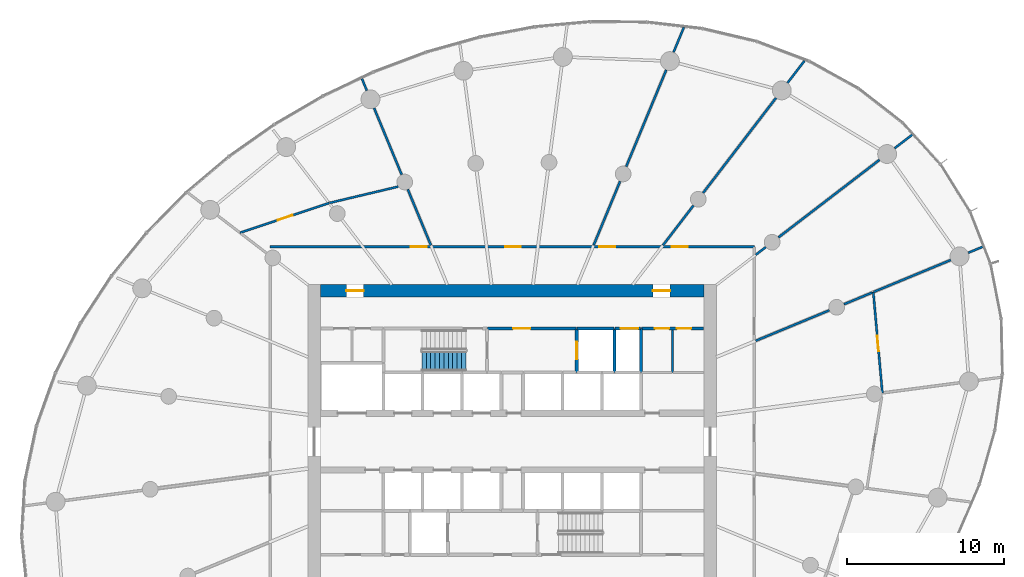
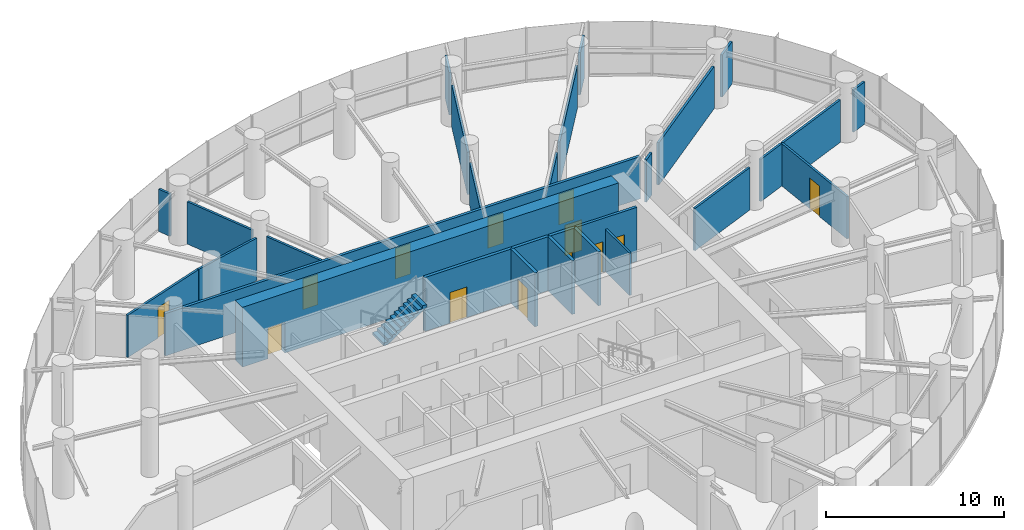
# One storey, part 13 of 17: 29 walls, 13 doors, 1 stair flight, 13 openings, 1 element without a shape of its own.
"""IFC4 building model written with IfcOpenShell, lengths in metres."""

from ifc_helpers import new_model, si_unit, direction, frame, frame_2d, origin, place, context, subcontext, project, spatial, line, indexed_curve, rectangle, outline, extrude, source, transform, mapped, material, layer, layer_set, type_object, element, fill, aggregate, save


model = new_model("IFC4")

# Units and contexts
model_context = context("Model", 3, precision=1e-05, world=origin(), true_north=direction((0.0, 1.0)))
body_context = subcontext(model_context, "Body", "Model", "MODEL_VIEW")
ifc_project = project(units=[si_unit("LENGTHUNIT", "METRE"), si_unit("AREAUNIT", "SQUARE_METRE"), si_unit("VOLUMEUNIT", "CUBIC_METRE"), si_unit("PLANEANGLEUNIT", "RADIAN"), si_unit("MASSUNIT", "GRAM", prefix="KILO")], contexts=[model_context])

# Site, building, storey
site_placement = place(None, origin())
site = spatial("IfcSite", under=ifc_project, at=site_placement, CompositionType="ELEMENT")
building_placement = place(site_placement, origin())
building = spatial("IfcBuilding", under=site, at=building_placement, Name="Spindrift Exchange Tower", CompositionType="ELEMENT")
storey_placement = place(building_placement, frame((0.0, 0.0, 108.5)))
storey = spatial("IfcBuildingStorey", under=building, at=storey_placement, Name="L25", CompositionType="ELEMENT", Elevation=108.5)

# Wall, openings, doors
ifc_material_1 = material(Name="Concrete 65 MPa", Category="concrete")
ifc_layer_1 = layer(ifc_material_1, 0.800048828125)
ifc_layer_set_1 = layer_set([ifc_layer_1], Name="RC Core Wall 800 Concrete 65 MPa")
wall_type_1 = type_object("IfcWallType", Name="RC Core Wall 800 Concrete 65 MPa", PredefinedType="SHEAR", material=ifc_layer_set_1)
wall_1_placement = place(storey_placement, frame((64.199951171875, 57.60009765625, 0.0), z_axis=(0.0, 0.0, 1.0), x_axis=(-1.0, 0.0, 0.0)))
wall_1 = element("IfcWall", 1, at=wall_1_placement, inside=storey, type_object=wall_type_1, Name="Core wall N L25", PredefinedType="SHEAR", context=body_context, shape_type="SweptSolid", body=[
    extrude(rectangle(XDim=24.39990234375, YDim=0.800048828125, at=frame_2d((12.199951171875, 0.0))), origin(), (0.0, 0.0, 1.0), 4.10009765625),
])
opening_1_placement = place(wall_1_placement, frame((21.64990234375, 0.0, 0.0)))
opening_1 = element("IfcOpeningElement", 2, at=opening_1_placement, cuts=wall_1, Name="Opening L25-D20", PredefinedType="OPENING", context=body_context, shape_type="SweptSolid", body=[
    extrude(rectangle(XDim=1.10009765625, YDim=2.10009765625, at=frame_2d((0.550048828125, 1.050048828125))), frame((0.0, 0.409912109375, 0.0), z_axis=(0.0, -1.0, 0.0), x_axis=(1.0, 0.0, 0.0)), (0.0, 0.0, 1.0), 0.820068359375),
])
opening_2_placement = place(wall_1_placement, frame((2.14990234375, 0.0, 0.0)))
opening_2 = element("IfcOpeningElement", 3, at=opening_2_placement, cuts=wall_1, Name="Opening L25-D21", PredefinedType="OPENING", context=body_context, shape_type="SweptSolid", body=[
    extrude(rectangle(XDim=1.10009765625, YDim=2.10009765625, at=frame_2d((0.550048828125, 1.050048828125))), frame((0.0, 0.409912109375, 0.0), z_axis=(0.0, -1.0, 0.0), x_axis=(1.0, 0.0, 0.0)), (0.0, 0.0, 1.0), 0.820068359375),
])
ifc_material_2 = material(Name="Steel fire door", Category="steel")
door_type_1 = type_object("IfcDoorType", Name="DR-STAIR-1100", OperationType="NOTDEFINED", PredefinedType="DOOR", material=ifc_material_2)
shared_shape_1 = source(origin(), body_context, "Body", "SweptSolid", [
    extrude(rectangle(XDim=1.10009765625, YDim=2.10009765625, at=frame_2d((0.550048828125, 1.050048828125))), frame((0.0, 0.02490234375, 0.0), z_axis=(0.0, -1.0, 0.0), x_axis=(1.0, 0.0, 0.0)), (0.0, 0.0, 1.0), 0.050048828125),
])
door_1_placement = place(opening_1_placement, origin())
door_1 = element("IfcDoor", 4, at=door_1_placement, inside=storey, type_object=door_type_1, Name="L25 Stair door 20", OperationType="SINGLE_SWING_RIGHT", OverallHeight=2.10009765625, OverallWidth=1.10009765625, PredefinedType="DOOR", context=body_context, shape_type="MappedRepresentation", body=[
    mapped(shared_shape_1, transform((0.0, 0.0, 0.0), scale=1.0)),
])
fill(opening_1, door_1)
door_2_placement = place(opening_2_placement, origin())
door_2 = element("IfcDoor", 5, at=door_2_placement, inside=storey, type_object=door_type_1, Name="L25 Stair door 21", OperationType="SINGLE_SWING_LEFT", OverallHeight=2.10009765625, OverallWidth=1.10009765625, PredefinedType="DOOR", context=body_context, shape_type="MappedRepresentation", body=[
    mapped(shared_shape_1, transform((0.0, 0.0, 0.0), scale=1.0)),
])
fill(opening_2, door_2)

ifc_material_3 = material(Name="Fire-rated plasterboard partition", Category="gypsum")
ifc_layer_2 = layer(ifc_material_3, 0.179931640625)
ifc_layer_set_2 = layer_set([ifc_layer_2], Name="W-CORR-180")
wall_type_2 = type_object("IfcWallType", Name="W-CORR-180", PredefinedType="PARTITIONING", material=ifc_layer_set_2)
wall_2_placement = place(storey_placement, frame((64.179931640625, 55.199951171875, 0.0), z_axis=(0.0, 0.0, 1.0), x_axis=(-1.0, 0.0, 0.0)))
wall_2 = element("IfcWall", 6, at=wall_2_placement, inside=storey, type_object=wall_type_2, Name="L25 Partition wall 62", PredefinedType="PARTITIONING", context=body_context, shape_type="SweptSolid", body=[
    extrude(rectangle(XDim=3.949951171875, YDim=0.179931640625, at=frame_2d((1.97509765625, 0.0))), origin(), (0.0, 0.0, 1.0), 3.699951171875),
])
opening_3_placement = place(wall_2_placement, frame((2.199951171875, 0.0, 0.0)))
opening_3 = element("IfcOpeningElement", 7, at=opening_3_placement, cuts=wall_2, Name="Opening L25-D51", PredefinedType="OPENING", context=body_context, shape_type="SweptSolid", body=[
    extrude(rectangle(XDim=0.89990234375, YDim=2.10009765625, at=frame_2d((0.449951171875, 1.050048828125))), frame((0.0, 0.099853515625, 0.0), z_axis=(0.0, -1.0, 0.0), x_axis=(1.0, 0.0, 0.0)), (0.0, 0.0, 1.0), 0.199951171875),
])
opening_4_placement = place(wall_2_placement, frame((0.800048828125, 0.0, 0.0)))
opening_4 = element("IfcOpeningElement", 8, at=opening_4_placement, cuts=wall_2, Name="Opening L25-D52", PredefinedType="OPENING", context=body_context, shape_type="SweptSolid", body=[
    extrude(rectangle(XDim=0.89990234375, YDim=2.10009765625, at=frame_2d((0.449951171875, 1.050048828125))), frame((0.0, 0.099853515625, 0.0), z_axis=(0.0, -1.0, 0.0), x_axis=(1.0, 0.0, 0.0)), (0.0, 0.0, 1.0), 0.199951171875),
])
ifc_material_4 = material(Name="Steel access door", Category="steel")
door_type_2 = type_object("IfcDoorType", Name="DR-RISER-900", OperationType="NOTDEFINED", PredefinedType="DOOR", material=ifc_material_4)
shared_shape_2 = source(origin(), body_context, "Body", "SweptSolid", [
    extrude(rectangle(XDim=0.89990234375, YDim=2.10009765625, at=frame_2d((0.449951171875, 1.050048828125))), frame((0.0, 0.02490234375, 0.0), z_axis=(0.0, -1.0, 0.0), x_axis=(1.0, 0.0, 0.0)), (0.0, 0.0, 1.0), 0.050048828125),
])
door_3_placement = place(opening_3_placement, origin())
door_3 = element("IfcDoor", 9, at=door_3_placement, inside=storey, type_object=door_type_2, Name="L25 Riser door 51", OperationType="SINGLE_SWING_LEFT", OverallHeight=2.10009765625, OverallWidth=0.89990234375, PredefinedType="DOOR", context=body_context, shape_type="MappedRepresentation", body=[
    mapped(shared_shape_2, transform((0.0, 0.0, 0.0), scale=1.0)),
])
fill(opening_3, door_3)
door_4_placement = place(opening_4_placement, origin())
door_4 = element("IfcDoor", 10, at=door_4_placement, inside=storey, type_object=door_type_2, Name="L25 Riser door 52", OperationType="SINGLE_SWING_RIGHT", OverallHeight=2.10009765625, OverallWidth=0.89990234375, PredefinedType="DOOR", context=body_context, shape_type="MappedRepresentation", body=[
    mapped(shared_shape_2, transform((0.0, 0.0, 0.0), scale=1.0)),
])
fill(opening_4, door_4)

# Wall, opening, door
ifc_layer_3 = layer(ifc_material_3, 0.139892578125)
ifc_layer_set_3 = layer_set([ifc_layer_3], Name="W-PART-140")
wall_type_3 = type_object("IfcWallType", Name="W-PART-140", PredefinedType="PARTITIONING", material=ifc_layer_set_3)
wall_3_placement = place(storey_placement, frame((34.6748046875, 61.294189453125, 0.0), z_axis=(0.0, 0.0, 1.0), x_axis=(0.948817917671, 0.315823620247, 0.0)))
wall_3 = element("IfcWall", 11, at=wall_3_placement, inside=storey, type_object=wall_type_3, Name="L25 Partition wall 75", PredefinedType="PARTITIONING", context=body_context, shape_type="SweptSolid", body=[
    extrude(rectangle(XDim=5.98095703125, YDim=0.139892578125, at=frame_2d((2.990478515625, 0.0))), origin(), (0.0, 0.0, 1.0), 2.89990234375),
])
opening_5_placement = place(wall_3_placement, frame((2.531005859375, 0.0, 0.0)))
opening_5 = element("IfcOpeningElement", 12, at=opening_5_placement, cuts=wall_3, Name="Opening L25-D38", PredefinedType="OPENING", context=body_context, shape_type="SweptSolid", body=[
    extrude(rectangle(XDim=1.0, YDim=2.10009765625, at=frame_2d((0.5, 1.050048828125))), frame((0.0, 0.079833984375, 0.0), z_axis=(0.0, -1.0, 0.0), x_axis=(1.0, 0.0, 0.0)), (0.0, 0.0, 1.0), 0.159912109375),
])
ifc_material_5 = material(Name="Timber-core fire door", Category="wood")
door_type_3 = type_object("IfcDoorType", Name="DR-ROOM-1000", OperationType="NOTDEFINED", PredefinedType="DOOR", material=ifc_material_5)
shared_shape_3 = source(origin(), body_context, "Body", "SweptSolid", [
    extrude(rectangle(XDim=1.0, YDim=2.10009765625, at=frame_2d((0.5, 1.050048828125))), frame((0.0, 0.02490234375, 0.0), z_axis=(0.0, -1.0, 0.0), x_axis=(1.0, 0.0, 0.0)), (0.0, 0.0, 1.0), 0.050048828125),
])
door_5_placement = place(opening_5_placement, origin())
door_5 = element("IfcDoor", 13, at=door_5_placement, inside=storey, type_object=door_type_3, Name="L25 Door 38", OperationType="SINGLE_SWING_RIGHT", OverallHeight=2.10009765625, OverallWidth=1.0, PredefinedType="DOOR", context=body_context, shape_type="MappedRepresentation", body=[
    mapped(shared_shape_3, transform((0.0, 0.0, 0.0), scale=1.0)),
])
fill(opening_5, door_5)

# Walls
wall_4_placement = place(storey_placement, frame((44.746826171875, 64.2255859375, 0.0), z_axis=(0.0, 0.0, 1.0), x_axis=(-0.973038547424, -0.230642548604, 0.0)))
element("IfcWall", 14, at=wall_4_placement, inside=storey, type_object=wall_type_3, Name="L25 Partition wall 90", PredefinedType="PARTITIONING", context=body_context, shape_type="SweptSolid", body=[
    extrude(rectangle(XDim=4.4892578125, YDim=0.139892578125, at=frame_2d((2.24462890625, 0.0))), origin(), (0.0, 0.0, 1.0), 2.89990234375),
])
wall_5_placement = place(storey_placement, frame((62.199951171875, 52.39990234375, 0.0), z_axis=(0.0, 0.0, 1.0), x_axis=(0.0, 1.0, 0.0)))
element("IfcWall", 15, at=wall_5_placement, inside=storey, type_object=wall_type_3, Name="L25 Partition wall 101", PredefinedType="PARTITIONING", context=body_context, shape_type="SweptSolid", body=[
    extrude(rectangle(XDim=2.710205078125, YDim=0.139892578125, at=frame_2d((1.35498046875, 0.0))), origin(), (0.0, 0.0, 1.0), 2.89990234375),
])
ifc_layer_4 = layer(ifc_material_3, 0.139892578125)
ifc_layer_set_4 = layer_set([ifc_layer_4], Name="W-PLANT-140")
wall_type_4 = type_object("IfcWallType", Name="W-PLANT-140", PredefinedType="PARTITIONING", material=ifc_layer_set_4)
wall_6_placement = place(storey_placement, frame((68.93505859375, 60.99462890625, 0.0), z_axis=(0.0, 0.0, 1.0), x_axis=(0.793358692504, 0.608754453805, 0.0)))
element("IfcWall", 16, at=wall_6_placement, inside=storey, type_object=wall_type_4, Name="L25 Partition wall 65", PredefinedType="PARTITIONING", context=body_context, shape_type="SweptSolid", body=[
    extrude(rectangle(XDim=8.109619140625, YDim=0.139892578125, at=frame_2d((4.0546875, 0.0))), origin(), (0.0, 0.0, 1.0), 2.89990234375),
])
wall_7_placement = place(storey_placement, frame((64.14208984375, 63.823974609375, 0.0), z_axis=(0.0, 0.0, 1.0), x_axis=(0.608755907151, 0.793357577331, 0.0)))
element("IfcWall", 17, at=wall_7_placement, inside=storey, type_object=wall_type_4, Name="L25 Partition wall 66", PredefinedType="PARTITIONING", context=body_context, shape_type="SweptSolid", body=[
    extrude(rectangle(XDim=7.614990234375, YDim=0.139892578125, at=frame_2d((3.8076171875, 0.0))), origin(), (0.0, 0.0, 1.0), 2.89990234375),
])
wall_8_placement = place(storey_placement, frame((59.247802734375, 65.497802734375, 0.0), z_axis=(0.0, 0.0, 1.0), x_axis=(0.382696989205, 0.923873916968, 0.0)))
element("IfcWall", 18, at=wall_8_placement, inside=storey, type_object=wall_type_4, Name="L25 Partition wall 69", PredefinedType="PARTITIONING", context=body_context, shape_type="SweptSolid", body=[
    extrude(rectangle(XDim=6.662841796875, YDim=0.139892578125, at=frame_2d((3.33154296875, 0.0))), origin(), (0.0, 0.0, 1.0), 2.89990234375),
])

# Wall, opening, door
wall_9_placement = place(storey_placement, frame((74.97021484375, 57.5146484375, 0.0), z_axis=(0.0, 0.0, 1.0), x_axis=(0.089462467016, -0.995990194227, 0.0)))
wall_9 = element("IfcWall", 19, at=wall_9_placement, inside=storey, type_object=wall_type_4, Name="L25 Partition wall 71", PredefinedType="PARTITIONING", context=body_context, shape_type="SweptSolid", body=[
    extrude(rectangle(XDim=6.4404296875, YDim=0.139892578125, at=frame_2d((3.22021484375, 0.0))), origin(), (0.0, 0.0, 1.0), 2.89990234375),
])
opening_6_placement = place(wall_9_placement, frame((2.79052734375, 0.0, 0.0)))
opening_6 = element("IfcOpeningElement", 20, at=opening_6_placement, cuts=wall_9, Name="Opening L25-D32", PredefinedType="OPENING", context=body_context, shape_type="SweptSolid", body=[
    extrude(rectangle(XDim=1.0, YDim=2.10009765625, at=frame_2d((0.5, 1.050048828125))), frame((0.0, 0.079833984375, 0.0), z_axis=(0.0, -1.0, 0.0), x_axis=(1.0, 0.0, 0.0)), (0.0, 0.0, 1.0), 0.159912109375),
])
door_6_placement = place(opening_6_placement, origin())
door_6 = element("IfcDoor", 21, at=door_6_placement, inside=storey, type_object=door_type_3, Name="L25 Door 32", OperationType="SINGLE_SWING_RIGHT", OverallHeight=2.10009765625, OverallWidth=1.0, PredefinedType="DOOR", context=body_context, shape_type="MappedRepresentation", body=[
    mapped(shared_shape_3, transform((0.0, 0.0, 0.0), scale=1.0)),
])
fill(opening_6, door_6)

# Walls
wall_10_placement = place(storey_placement, frame((74.998046875, 57.526123046875, 0.0), z_axis=(0.0, 0.0, 1.0), x_axis=(0.923875965801, 0.382692043051, 0.0)))
element("IfcWall", 22, at=wall_10_placement, inside=storey, type_object=wall_type_4, Name="L25 Partition wall 81", PredefinedType="PARTITIONING", context=body_context, shape_type="SweptSolid", body=[
    extrude(rectangle(XDim=5.302001953125, YDim=0.139892578125, at=frame_2d((2.65087890625, 0.0))), origin(), (0.0, 0.0, 1.0), 2.89990234375),
])
wall_11_placement = place(storey_placement, frame((67.489990234375, 54.416259765625, 0.0), z_axis=(0.0, 0.0, 1.0), x_axis=(0.923890025086, 0.382658100067, 0.0)))
element("IfcWall", 23, at=wall_11_placement, inside=storey, type_object=wall_type_4, Name="L25 Partition wall 84", PredefinedType="PARTITIONING", context=body_context, shape_type="SweptSolid", body=[
    extrude(rectangle(XDim=5.068359375, YDim=0.139892578125, at=frame_2d((2.5341796875, 0.0))), origin(), (0.0, 0.0, 1.0), 2.89990234375),
])
wall_12_placement = place(storey_placement, frame((44.965087890625, 64.984130859375, 0.0), z_axis=(0.0, 0.0, 1.0), x_axis=(-0.382705930348, 0.923870213221, 0.0)))
element("IfcWall", 24, at=wall_12_placement, inside=storey, type_object=wall_type_4, Name="L25 Partition wall 89", PredefinedType="PARTITIONING", context=body_context, shape_type="SweptSolid", body=[
    extrude(rectangle(XDim=4.586669921875, YDim=0.139892578125, at=frame_2d((2.29345703125, 0.0))), origin(), (0.0, 0.0, 1.0), 2.89990234375),
])
wall_13_placement = place(storey_placement, frame((57.173583984375, 60.489990234375, 0.0), z_axis=(0.0, 0.0, 1.0), x_axis=(0.382672831764, 0.923883923353, 0.0)))
element("IfcWall", 25, at=wall_13_placement, inside=storey, type_object=wall_type_4, Name="L25 Partition wall 92", PredefinedType="PARTITIONING", context=body_context, shape_type="SweptSolid", body=[
    extrude(rectangle(XDim=4.410400390625, YDim=0.139892578125, at=frame_2d((2.205078125, 0.0))), origin(), (0.0, 0.0, 1.0), 2.89990234375),
])
wall_14_placement = place(storey_placement, frame((46.826416015625, 60.489990234375, 0.0), z_axis=(0.0, 0.0, 1.0), x_axis=(-0.382644558062, 0.923895633817, 0.0)))
element("IfcWall", 26, at=wall_14_placement, inside=storey, type_object=wall_type_4, Name="L25 Partition wall 96", PredefinedType="PARTITIONING", context=body_context, shape_type="SweptSolid", body=[
    extrude(rectangle(XDim=3.854248046875, YDim=0.139892578125, at=frame_2d((1.92724609375, 0.0))), origin(), (0.0, 0.0, 1.0), 2.89990234375),
])
wall_15_placement = place(storey_placement, frame((61.583984375, 60.489990234375, 0.0), z_axis=(0.0, 0.0, 1.0), x_axis=(0.60874605662, 0.793365135703, 0.0)))
element("IfcWall", 27, at=wall_15_placement, inside=storey, type_object=wall_type_4, Name="L25 Partition wall 100", PredefinedType="PARTITIONING", context=body_context, shape_type="SweptSolid", body=[
    extrude(rectangle(XDim=3.193603515625, YDim=0.139892578125, at=frame_2d((1.5966796875, 0.0))), origin(), (0.0, 0.0, 1.0), 2.89990234375),
])
wall_16_placement = place(storey_placement, frame((73.10595703125, 56.7421875, 0.0), z_axis=(0.0, 0.0, 1.0), x_axis=(0.923843914347, 0.382769410904, 0.0)))
element("IfcWall", 28, at=wall_16_placement, inside=storey, type_object=wall_type_4, Name="L25 Partition wall 104", PredefinedType="PARTITIONING", context=body_context, shape_type="SweptSolid", body=[
    extrude(rectangle(XDim=1.94482421875, YDim=0.139892578125, at=frame_2d((0.972412109375, 0.0))), origin(), (0.0, 0.0, 1.0), 2.89990234375),
])
wall_17_placement = place(storey_placement, frame((69.513671875, 70.82421875, 0.0), z_axis=(0.0, 0.0, 1.0), x_axis=(0.608816765526, 0.793310876022, 0.0)))
element("IfcWall", 29, at=wall_17_placement, inside=storey, type_object=wall_type_4, Name="L25 Partition wall 109", PredefinedType="PARTITIONING", context=body_context, shape_type="SweptSolid", body=[
    extrude(rectangle(XDim=1.769287109375, YDim=0.139892578125, at=frame_2d((0.884765625, 0.0))), origin(), (0.0, 0.0, 1.0), 2.89990234375),
])
wall_18_placement = place(storey_placement, frame((62.260498046875, 72.77099609375, 0.0), z_axis=(0.0, 0.0, 1.0), x_axis=(0.382769756697, 0.923843771077, 0.0)))
element("IfcWall", 30, at=wall_18_placement, inside=storey, type_object=wall_type_4, Name="L25 Partition wall 111", PredefinedType="PARTITIONING", context=body_context, shape_type="SweptSolid", body=[
    extrude(rectangle(XDim=1.719482421875, YDim=0.139892578125, at=frame_2d((0.85986328125, 0.0))), origin(), (0.0, 0.0, 1.0), 2.89990234375),
])
wall_19_placement = place(storey_placement, frame((76.32763671875, 66.667236328125, 0.0), z_axis=(0.0, 0.0, 1.0), x_axis=(0.793384012646, 0.608721453932, 0.0)))
element("IfcWall", 31, at=wall_19_placement, inside=storey, type_object=wall_type_4, Name="L25 Partition wall 113", PredefinedType="PARTITIONING", context=body_context, shape_type="SweptSolid", body=[
    extrude(rectangle(XDim=1.431884765625, YDim=0.139892578125, at=frame_2d((0.7158203125, 0.0))), origin(), (0.0, 0.0, 1.0), 2.89990234375),
])
wall_20_placement = place(storey_placement, frame((81.014404296875, 60.018310546875, 0.0), z_axis=(0.0, 0.0, 1.0), x_axis=(0.923909071339, 0.38261211154, 0.0)))
element("IfcWall", 32, at=wall_20_placement, inside=storey, type_object=wall_type_4, Name="L25 Partition wall 121", PredefinedType="PARTITIONING", context=body_context, shape_type="SweptSolid", body=[
    extrude(rectangle(XDim=1.021484375, YDim=0.139892578125, at=frame_2d((0.5107421875, 0.0))), origin(), (0.0, 0.0, 1.0), 2.89990234375),
])
wall_21_placement = place(storey_placement, frame((67.489990234375, 59.885986328125, 0.0), z_axis=(0.0, 0.0, 1.0), x_axis=(0.793316076519, 0.608809989025, 0.0)))
element("IfcWall", 33, at=wall_21_placement, inside=storey, type_object=wall_type_4, Name="L25 Partition wall 124", PredefinedType="PARTITIONING", context=body_context, shape_type="SweptSolid", body=[
    extrude(rectangle(XDim=0.8125, YDim=0.139892578125, at=frame_2d((0.40625, 0.0))), origin(), (0.0, 0.0, 1.0), 2.89990234375),
])
wall_22_placement = place(storey_placement, frame((42.74658203125, 70.339599609375, 0.0), z_axis=(0.0, 0.0, 1.0), x_axis=(-0.382520140646, 0.923947153251, 0.0)))
element("IfcWall", 34, at=wall_22_placement, inside=storey, type_object=wall_type_4, Name="L25 Partition wall 125", PredefinedType="PARTITIONING", context=body_context, shape_type="SweptSolid", body=[
    extrude(rectangle(XDim=0.811279296875, YDim=0.139892578125, at=frame_2d((0.40576171875, 0.0))), origin(), (0.0, 0.0, 1.0), 2.89990234375),
])

# Wall, openings, doors
ifc_layer_5 = layer(ifc_material_3, 0.179931640625)
ifc_layer_set_5 = layer_set([ifc_layer_5], Name="W-PLANT-180")
wall_type_5 = type_object("IfcWallType", Name="W-PLANT-180", PredefinedType="PARTITIONING", material=ifc_layer_set_5)
wall_23_placement = place(storey_placement, frame((36.60009765625, 60.39990234375, 0.0), z_axis=(0.0, 0.0, 1.0), x_axis=(1.0, 0.0, 0.0)))
wall_23 = element("IfcWall", 35, at=wall_23_placement, inside=storey, type_object=wall_type_5, Name="L25 Partition wall 58", PredefinedType="PARTITIONING", context=body_context, shape_type="SweptSolid", body=[
    extrude(rectangle(XDim=30.7998046875, YDim=0.179931640625, at=frame_2d((15.39990234375, 0.0))), origin(), (0.0, 0.0, 1.0), 2.89990234375),
])
opening_7_placement = place(wall_23_placement, frame((25.550048828125, 0.0, 0.0)))
opening_7 = element("IfcOpeningElement", 36, at=opening_7_placement, cuts=wall_23, Name="Opening L25-D34", PredefinedType="OPENING", context=body_context, shape_type="SweptSolid", body=[
    extrude(rectangle(XDim=1.0, YDim=2.10009765625, at=frame_2d((0.5, 1.050048828125))), frame((0.0, 0.099853515625, 0.0), z_axis=(0.0, -1.0, 0.0), x_axis=(1.0, 0.0, 0.0)), (0.0, 0.0, 1.0), 0.199951171875),
])
opening_8_placement = place(wall_23_placement, frame((20.949951171875, 0.0, 0.0)))
opening_8 = element("IfcOpeningElement", 37, at=opening_8_placement, cuts=wall_23, Name="Opening L25-D35", PredefinedType="OPENING", context=body_context, shape_type="SweptSolid", body=[
    extrude(rectangle(XDim=1.0, YDim=2.10009765625, at=frame_2d((0.5, 1.050048828125))), frame((0.0, 0.099853515625, 0.0), z_axis=(0.0, -1.0, 0.0), x_axis=(1.0, 0.0, 0.0)), (0.0, 0.0, 1.0), 0.199951171875),
])
opening_9_placement = place(wall_23_placement, frame((14.949951171875, 0.0, 0.0)))
opening_9 = element("IfcOpeningElement", 38, at=opening_9_placement, cuts=wall_23, Name="Opening L25-D36", PredefinedType="OPENING", context=body_context, shape_type="SweptSolid", body=[
    extrude(rectangle(XDim=1.0, YDim=2.10009765625, at=frame_2d((0.5, 1.050048828125))), frame((0.0, 0.099853515625, 0.0), z_axis=(0.0, -1.0, 0.0), x_axis=(1.0, 0.0, 0.0)), (0.0, 0.0, 1.0), 0.199951171875),
])
opening_10_placement = place(wall_23_placement, frame((8.949951171875, 0.0, 0.0)))
opening_10 = element("IfcOpeningElement", 39, at=opening_10_placement, cuts=wall_23, Name="Opening L25-D37", PredefinedType="OPENING", context=body_context, shape_type="SweptSolid", body=[
    extrude(rectangle(XDim=1.0, YDim=2.10009765625, at=frame_2d((0.5, 1.050048828125))), frame((0.0, 0.099853515625, 0.0), z_axis=(0.0, -1.0, 0.0), x_axis=(1.0, 0.0, 0.0)), (0.0, 0.0, 1.0), 0.199951171875),
])
door_7_placement = place(opening_7_placement, origin())
door_7 = element("IfcDoor", 40, at=door_7_placement, inside=storey, type_object=door_type_3, Name="L25 Door 34", OperationType="SINGLE_SWING_RIGHT", OverallHeight=2.10009765625, OverallWidth=1.0, PredefinedType="DOOR", context=body_context, shape_type="MappedRepresentation", body=[
    mapped(shared_shape_3, transform((0.0, 0.0, 0.0), scale=1.0)),
])
fill(opening_7, door_7)
door_8_placement = place(opening_8_placement, origin())
door_8 = element("IfcDoor", 41, at=door_8_placement, inside=storey, type_object=door_type_3, Name="L25 Door 35", OperationType="SINGLE_SWING_LEFT", OverallHeight=2.10009765625, OverallWidth=1.0, PredefinedType="DOOR", context=body_context, shape_type="MappedRepresentation", body=[
    mapped(shared_shape_3, transform((0.0, 0.0, 0.0), scale=1.0)),
])
fill(opening_8, door_8)
door_9_placement = place(opening_9_placement, origin())
door_9 = element("IfcDoor", 42, at=door_9_placement, inside=storey, type_object=door_type_3, Name="L25 Door 36", OperationType="SINGLE_SWING_RIGHT", OverallHeight=2.10009765625, OverallWidth=1.0, PredefinedType="DOOR", context=body_context, shape_type="MappedRepresentation", body=[
    mapped(shared_shape_3, transform((0.0, 0.0, 0.0), scale=1.0)),
])
fill(opening_9, door_9)
door_10_placement = place(opening_10_placement, origin())
door_10 = element("IfcDoor", 43, at=door_10_placement, inside=storey, type_object=door_type_3, Name="L25 Door 37", OperationType="SINGLE_SWING_LEFT", OverallHeight=2.10009765625, OverallWidth=1.0, PredefinedType="DOOR", context=body_context, shape_type="MappedRepresentation", body=[
    mapped(shared_shape_3, transform((0.0, 0.0, 0.0), scale=1.0)),
])
fill(opening_10, door_10)

# Wall, opening, door
ifc_material_6 = material(Name="Concrete 40 MPa", Category="concrete")
ifc_layer_6 = layer(ifc_material_6, 0.199951171875)
ifc_layer_set_6 = layer_set([ifc_layer_6], Name="W-SHAFT-200")
wall_type_6 = type_object("IfcWallType", Name="W-SHAFT-200", PredefinedType="SOLIDWALL", material=ifc_layer_set_6)
wall_24_placement = place(storey_placement, frame((56.10009765625, 55.169921875, 0.0), z_axis=(0.0, 0.0, 1.0), x_axis=(0.0, -1.0, 0.0)))
wall_24 = element("IfcWall", 44, at=wall_24_placement, inside=storey, type_object=wall_type_6, Name="L25 Shaft wall 12", PredefinedType="SOLIDWALL", context=body_context, shape_type="SweptSolid", body=[
    extrude(rectangle(XDim=2.77001953125, YDim=0.199951171875, at=frame_2d((1.385009765625, 0.0))), origin(), (0.0, 0.0, 1.0), 3.699951171875),
])
opening_11_placement = place(wall_24_placement, frame((0.820068359375, 0.0, 0.0)))
opening_11 = element("IfcOpeningElement", 45, at=opening_11_placement, cuts=wall_24, Name="Opening L25-D9", PredefinedType="OPENING", context=body_context, shape_type="SweptSolid", body=[
    extrude(rectangle(XDim=1.10009765625, YDim=2.10009765625, at=frame_2d((0.550048828125, 1.050048828125))), frame((0.0, 0.10986328125, 0.0), z_axis=(0.0, -1.0, 0.0), x_axis=(1.0, 0.0, 0.0)), (0.0, 0.0, 1.0), 0.219970703125),
])
ifc_material_7 = material(Name="Stainless steel landing door", Category="steel")
door_type_4 = type_object("IfcDoorType", Name="DR-LANDING-1100-SL", OperationType="DOUBLE_DOOR_SLIDING", PredefinedType="USERDEFINED", material=ifc_material_7)
shared_shape_4 = source(origin(), body_context, "Body", "SweptSolid", [
    extrude(rectangle(XDim=1.10009765625, YDim=2.10009765625, at=frame_2d((0.550048828125, 1.050048828125))), frame((0.0, 0.02490234375, 0.0), z_axis=(0.0, -1.0, 0.0), x_axis=(1.0, 0.0, 0.0)), (0.0, 0.0, 1.0), 0.050048828125),
])
door_11_placement = place(opening_11_placement, origin())
door_11 = element("IfcDoor", 46, at=door_11_placement, inside=storey, type_object=door_type_4, Name="L25 Lift landing door 9", ObjectType="LANDING DOOR", OperationType="DOUBLE_DOOR_SLIDING", OverallHeight=2.10009765625, OverallWidth=1.10009765625, PredefinedType="USERDEFINED", context=body_context, shape_type="MappedRepresentation", body=[
    mapped(shared_shape_4, transform((0.0, 0.0, 0.0), scale=1.0)),
])
fill(opening_11, door_11)

# Walls
for number, where, z_axis, x_axis, name in (
    (47, (58.5, 52.39990234375, 0.0), (0.0, 0.0, 1.0), (0.0, 1.0, 0.0), "L25 Shaft wall 13"),
    (48, (60.199951171875, 52.39990234375, 0.0), (0.0, 0.0, 1.0), (0.0, 1.0, 0.0), "L25 Shaft wall 14"),
):
    element("IfcWall", number, at=place(storey_placement, frame(where, z_axis=z_axis, x_axis=x_axis)), inside=storey, type_object=wall_type_6, Name=name, PredefinedType="SOLIDWALL", context=body_context, shape_type="SweptSolid", body=[
        extrude(rectangle(XDim=2.800048828125, YDim=0.199951171875, at=frame_2d((1.39990234375, 0.0))), origin(), (0.0, 0.0, 1.0), 3.699951171875),
    ])
wall_25_placement = place(storey_placement, frame((58.469970703125, 55.199951171875, 0.0), z_axis=(0.0, 0.0, 1.0), x_axis=(-1.0, 0.0, 0.0)))
element("IfcWall", 49, at=wall_25_placement, inside=storey, type_object=wall_type_6, Name="L25 Shaft wall 22", PredefinedType="SOLIDWALL", context=body_context, shape_type="SweptSolid", body=[
    extrude(rectangle(XDim=2.340087890625, YDim=0.199951171875, at=frame_2d((1.169921875, 0.0))), origin(), (0.0, 0.0, 1.0), 3.699951171875),
])

# Wall, opening, door
wall_26_placement = place(storey_placement, frame((60.169921875, 55.199951171875, 0.0), z_axis=(0.0, 0.0, 1.0), x_axis=(-1.0, 0.0, 0.0)))
wall_26 = element("IfcWall", 50, at=wall_26_placement, inside=storey, type_object=wall_type_6, Name="L25 Shaft wall 43", PredefinedType="SOLIDWALL", context=body_context, shape_type="SweptSolid", body=[
    extrude(rectangle(XDim=1.639892578125, YDim=0.199951171875, at=frame_2d((0.81982421875, 0.0))), origin(), (0.0, 0.0, 1.0), 3.699951171875),
])
opening_12_placement = place(wall_26_placement, frame((0.169921875, 0.0, 0.0)))
opening_12 = element("IfcOpeningElement", 51, at=opening_12_placement, cuts=wall_26, Name="Opening L25-D11", PredefinedType="OPENING", context=body_context, shape_type="SweptSolid", body=[
    extrude(rectangle(XDim=1.10009765625, YDim=2.10009765625, at=frame_2d((0.550048828125, 1.050048828125))), frame((0.0, 0.10986328125, 0.0), z_axis=(0.0, -1.0, 0.0), x_axis=(1.0, 0.0, 0.0)), (0.0, 0.0, 1.0), 0.219970703125),
])
door_12_placement = place(opening_12_placement, origin())
door_12 = element("IfcDoor", 52, at=door_12_placement, inside=storey, type_object=door_type_4, Name="L25 Lift landing door 11", ObjectType="LANDING DOOR", OperationType="DOUBLE_DOOR_SLIDING", OverallHeight=2.10009765625, OverallWidth=1.10009765625, PredefinedType="USERDEFINED", context=body_context, shape_type="MappedRepresentation", body=[
    mapped(shared_shape_4, transform((0.0, 0.0, 0.0), scale=1.0)),
])
fill(opening_12, door_12)

ifc_layer_7 = layer(ifc_material_6, 0.199951171875)
ifc_layer_set_7 = layer_set([ifc_layer_7], Name="W-SHAFT-200-LB")
wall_type_7 = type_object("IfcWallType", Name="W-SHAFT-200-LB", PredefinedType="SOLIDWALL", material=ifc_layer_set_7)
wall_27_placement = place(storey_placement, frame((56.10009765625, 55.199951171875, 0.0), z_axis=(0.0, 0.0, 1.0), x_axis=(-1.0, 0.0, 0.0)))
wall_27 = element("IfcWall", 53, at=wall_27_placement, inside=storey, type_object=wall_type_7, Name="L25 Shaft wall 4", PredefinedType="SOLIDWALL", context=body_context, shape_type="SweptSolid", body=[
    extrude(rectangle(XDim=5.670166015625, YDim=0.199951171875, at=frame_2d((2.8349609375, 0.0))), origin(), (0.0, 0.0, 1.0), 3.699951171875),
])
opening_13_placement = place(wall_27_placement, frame((2.949951171875, 0.0, 0.0)))
opening_13 = element("IfcOpeningElement", 54, at=opening_13_placement, cuts=wall_27, Name="Opening L25-D15", PredefinedType="OPENING", context=body_context, shape_type="SweptSolid", body=[
    extrude(rectangle(XDim=1.10009765625, YDim=2.10009765625, at=frame_2d((0.550048828125, 1.050048828125))), frame((0.0, 0.10986328125, 0.0), z_axis=(0.0, -1.0, 0.0), x_axis=(1.0, 0.0, 0.0)), (0.0, 0.0, 1.0), 0.219970703125),
])
door_type_5 = type_object("IfcDoorType", Name="DR-LOBBY-1100", OperationType="NOTDEFINED", PredefinedType="DOOR", material=ifc_material_5)
shared_shape_5 = source(origin(), body_context, "Body", "SweptSolid", [
    extrude(rectangle(XDim=1.10009765625, YDim=2.10009765625, at=frame_2d((0.550048828125, 1.050048828125))), frame((0.0, 0.02490234375, 0.0), z_axis=(0.0, -1.0, 0.0), x_axis=(1.0, 0.0, 0.0)), (0.0, 0.0, 1.0), 0.050048828125),
])
door_13_placement = place(opening_13_placement, origin())
door_13 = element("IfcDoor", 55, at=door_13_placement, inside=storey, type_object=door_type_5, Name="L25 Lobby door 15", OperationType="SINGLE_SWING_LEFT", OverallHeight=2.10009765625, OverallWidth=1.10009765625, PredefinedType="DOOR", context=body_context, shape_type="MappedRepresentation", body=[
    mapped(shared_shape_5, transform((0.0, 0.0, 0.0), scale=1.0)),
])
fill(opening_13, door_13)

# Stair, stair flight
ifc_material_8 = material(Name="Concrete 50 MPa", Category="concrete")
stair_type = type_object("IfcStairType", Name="ST-1250-R186", PredefinedType="HALF_TURN_STAIR", material=ifc_material_8)
stair_placement = place(storey_placement, origin())
stair = element("IfcStair", 56, at=stair_placement, inside=storey, type_object=stair_type, Name="L25 Exit stair ST1", PredefinedType="HALF_TURN_STAIR")
stair_flight_type = type_object("IfcStairFlightType", Name="STF-1250-R186", PredefinedType="STRAIGHT", material=ifc_material_8)
stair_flight_placement = place(storey_placement, frame((46.25, 53.125, 2.050048828125), z_axis=(0.0, 0.0, 1.0), x_axis=(1.0, 0.0, 0.0)))
stair_flight = element("IfcStairFlight", 57, at=stair_flight_placement, type_object=stair_flight_type, Name="ST1 flight 2", NumberOfRisers=11, NumberOfTreads=10, PredefinedType="STRAIGHT", RiserHeight=0.186363636, TreadLength=0.28, context=body_context, shape_type="SweptSolid", body=[
    extrude(outline(indexed_curve([(0.0, 0.0), (0.0, 0.1865234375), (0.2802734375, 0.1865234375), (0.2802734375, 0.373046875), (0.5595703125, 0.373046875), (0.5595703125, 0.5595703125), (0.83984375, 0.5595703125), (0.83984375, 0.7451171875), (1.1201171875, 0.7451171875), (1.1201171875, 0.931640625), (1.400390625, 0.931640625), (1.400390625, 1.1181640625), (1.6796875, 1.1181640625), (1.6796875, 1.3046875), (1.9599609375, 1.3046875), (1.9599609375, 1.4912109375), (2.240234375, 1.4912109375), (2.240234375, 1.677734375), (2.51953125, 1.677734375), (2.51953125, 1.86328125), (2.7998046875, 1.86328125), (2.7998046875, 2.0498046875), (2.7998046875, 1.68359375), (0.2705078125, 0.0)], segments=[line(1, 2, 3, 4, 5, 6, 7, 8, 9, 10, 11, 12, 13, 14, 15, 16, 17, 18, 19, 20, 21, 22, 23, 24, 1)], self_intersect=False)), frame((0.0, 0.625, 0.0), z_axis=(0.0, -1.0, 0.0), x_axis=(1.0, 0.0, 0.0)), (0.0, 0.0, 1.0), 1.25),
])
aggregate(stair, [stair_flight])

save(model, "model.ifc")
